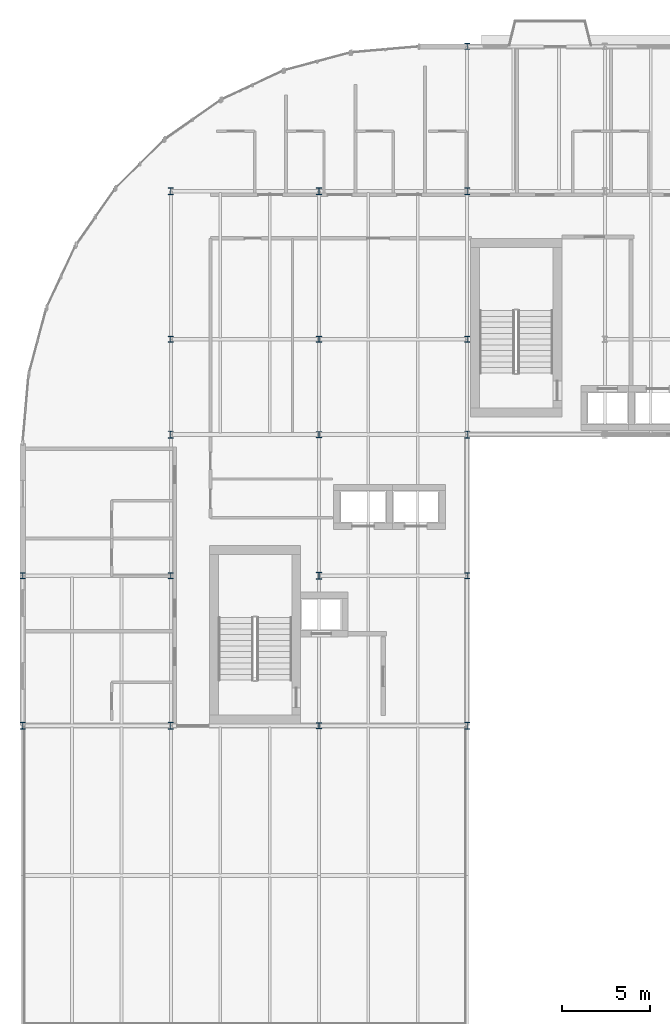
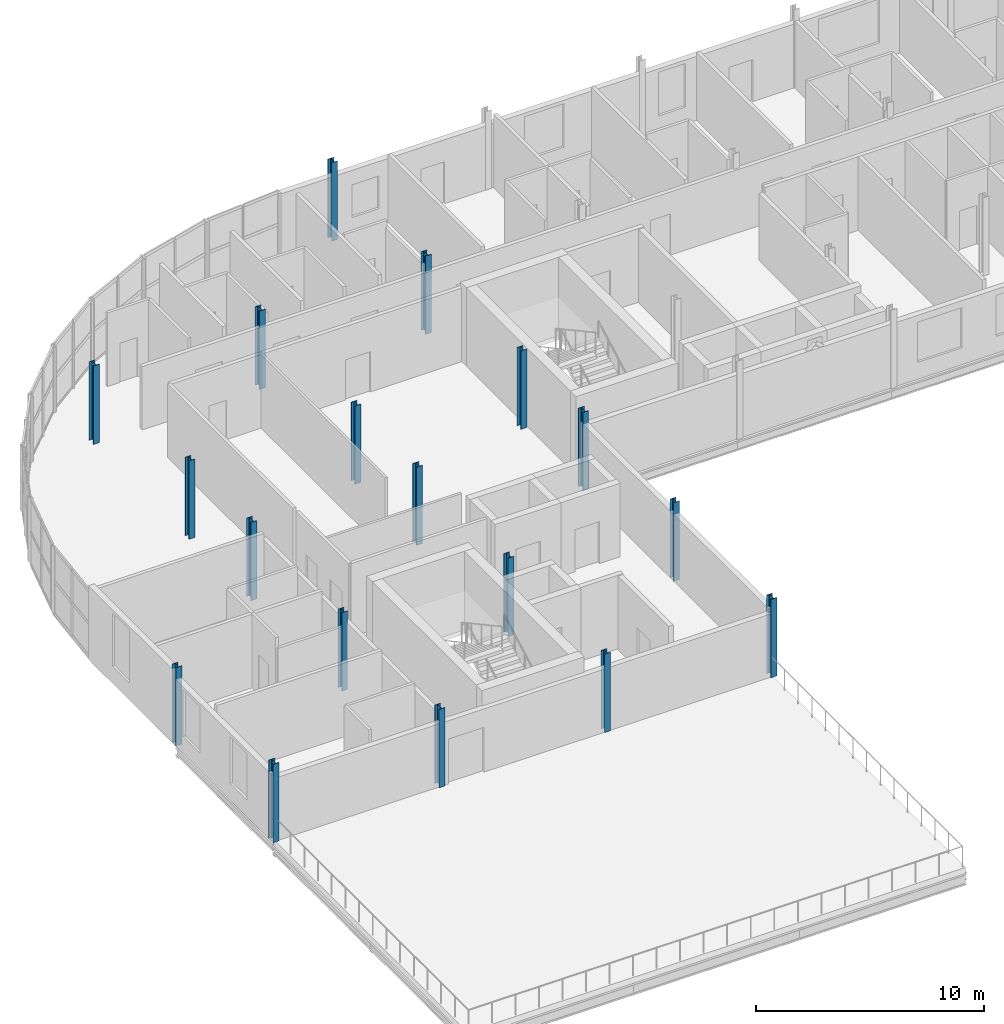
# One storey, part 1 of 22: 18 columns.
"""IFC4 building model written with IfcOpenShell, lengths in metres."""

from ifc_helpers import new_model, si_unit, direction, frame, origin, origin_2d, place, context, subcontext, project, spatial, i_section, extrude, material, material_profile, profile_set, type_object, element, save


model = new_model("IFC4")

# Units and contexts
model_context = context("Model", 3, precision=1e-05, world=origin(), true_north=direction((0.0, 1.0)))
body_context = subcontext(model_context, "Body", "Model", "MODEL_VIEW")
ifc_project = project(units=[si_unit("LENGTHUNIT", "METRE"), si_unit("AREAUNIT", "SQUARE_METRE"), si_unit("VOLUMEUNIT", "CUBIC_METRE"), si_unit("PLANEANGLEUNIT", "RADIAN"), si_unit("MASSUNIT", "GRAM", prefix="KILO")], contexts=[model_context])

# Site, building, storey
site_placement = place(None, origin())
site = spatial("IfcSite", under=ifc_project, at=site_placement, CompositionType="ELEMENT")
building_placement = place(site_placement, origin())
building = spatial("IfcBuilding", under=site, at=building_placement, Name="Sefraquen Railside Congress Hotel", CompositionType="ELEMENT")
storey_placement = place(building_placement, frame((0.0, 0.0, 42.60009765625)))
storey = spatial("IfcBuildingStorey", under=building, at=storey_placement, Name="L10", CompositionType="ELEMENT", Elevation=42.60009765625)

# Columns
ifc_material = material(Name="Steel S355JR", Category="steel")
ifc_material_profile_1 = material_profile(ifc_material, i_section(OverallWidth=0.300048828125, OverallDepth=0.340087890625, WebThickness=0.011962890625, FlangeThickness=0.021484375, FilletRadius=0.027099609375, at=origin_2d()), Name="HEB 340")
ifc_profile_set_1 = profile_set([ifc_material_profile_1], Name="Steel S355JR")
column_type_1 = type_object("IfcColumnType", Name="TC-HEB-340", PredefinedType="COLUMN", material=ifc_profile_set_1)
for number, where, z_axis, x_axis, name in (
    (1, (0.0, 88.0, 0.0), (0.0, 0.0, 1.0), (1.0, 0.0, 0.0), "Structural column 1-L L10"),
    (2, (8.39990234375, 88.0, 0.0), (0.0, 0.0, 1.0), (1.0, 0.0, 0.0), "Structural column 2-L L10"),
    (3, (16.800048828125, 79.5, 0.0), (0.0, 0.0, 1.0), (1.0, 0.0, 0.0), "Structural column 3-K L10"),
    (4, (16.800048828125, 96.0, 0.0), (0.0, 0.0, 1.0), (1.0, 0.0, 0.0), "Structural column 3-M L10"),
    (5, (25.199951171875, 88.0, 0.0), (0.0, 0.0, 1.0), (1.0, 0.0, 0.0), "Structural column 4-L L10"),
    (6, (8.39990234375, 101.39990234375, 0.0), (0.0, 0.0, 1.0), (1.0, 0.0, 0.0), "Structural column 2-N L10"),
    (7, (16.800048828125, 101.39990234375, 0.0), (0.0, 0.0, 1.0), (1.0, 0.0, 0.0), "Structural column 3-N L10"),
    (8, (25.199951171875, 101.39990234375, 0.0), (0.0, 0.0, 1.0), (1.0, 0.0, 0.0), "Structural column 4-N L10"),
    (9, (25.199951171875, 118.0, 0.0), (0.0, 0.0, 1.0), (1.0, 0.0, 0.0), "Structural column 4-Q L10"),
):
    element("IfcColumn", number, at=place(storey_placement, frame(where, z_axis=z_axis, x_axis=x_axis)), inside=storey, type_object=column_type_1, Name=name, PredefinedType="COLUMN", context=body_context, shape_type="SweptSolid", body=[
        extrude(i_section(OverallWidth=0.300048828125, OverallDepth=0.340087890625, WebThickness=0.011962890625, FlangeThickness=0.021484375, FilletRadius=0.027099609375, at=origin_2d()), origin(), (0.0, 0.0, 1.0), 4.199951171875),
    ])
ifc_material_profile_2 = material_profile(ifc_material, i_section(OverallWidth=0.300048828125, OverallDepth=0.39990234375, WebThickness=0.013427734375, FlangeThickness=0.02392578125, FilletRadius=0.027099609375, at=origin_2d()), Name="HEB 400")
ifc_profile_set_2 = profile_set([ifc_material_profile_2], Name="Steel S355JR")
column_type_2 = type_object("IfcColumnType", Name="TC-HEB-400", PredefinedType="COLUMN", material=ifc_profile_set_2)
for number, where, z_axis, x_axis, name in (
    (10, (0.0, 79.5, 0.0), (0.0, 0.0, 1.0), (1.0, 0.0, 0.0), "Structural column 1-K L10"),
    (11, (8.39990234375, 79.5, 0.0), (0.0, 0.0, 1.0), (1.0, 0.0, 0.0), "Structural column 2-K L10"),
    (12, (8.39990234375, 96.0, 0.0), (0.0, 0.0, 1.0), (1.0, 0.0, 0.0), "Structural column 2-M L10"),
    (13, (16.800048828125, 88.0, 0.0), (0.0, 0.0, 1.0), (1.0, 0.0, 0.0), "Structural column 3-L L10"),
    (14, (25.199951171875, 79.5, 0.0), (0.0, 0.0, 1.0), (1.0, 0.0, 0.0), "Structural column 4-K L10"),
    (15, (25.199951171875, 96.0, 0.0), (0.0, 0.0, 1.0), (1.0, 0.0, 0.0), "Structural column 4-M L10"),
    (16, (8.39990234375, 109.800048828125, 0.0), (0.0, 0.0, 1.0), (1.0, 0.0, 0.0), "Structural column 2-P L10"),
    (17, (16.800048828125, 109.800048828125, 0.0), (0.0, 0.0, 1.0), (1.0, 0.0, 0.0), "Structural column 3-P L10"),
    (18, (25.199951171875, 109.800048828125, 0.0), (0.0, 0.0, 1.0), (1.0, 0.0, 0.0), "Structural column 4-P L10"),
):
    element("IfcColumn", number, at=place(storey_placement, frame(where, z_axis=z_axis, x_axis=x_axis)), inside=storey, type_object=column_type_2, Name=name, PredefinedType="COLUMN", context=body_context, shape_type="SweptSolid", body=[
        extrude(i_section(OverallWidth=0.300048828125, OverallDepth=0.39990234375, WebThickness=0.013427734375, FlangeThickness=0.02392578125, FilletRadius=0.027099609375, at=origin_2d()), origin(), (0.0, 0.0, 1.0), 4.199951171875),
    ])

save(model, "model.ifc")
